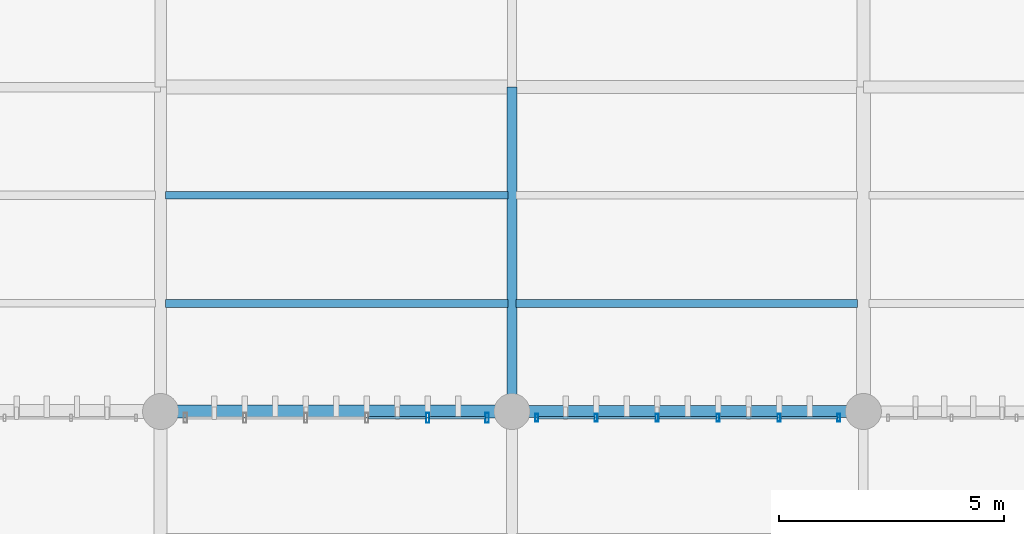
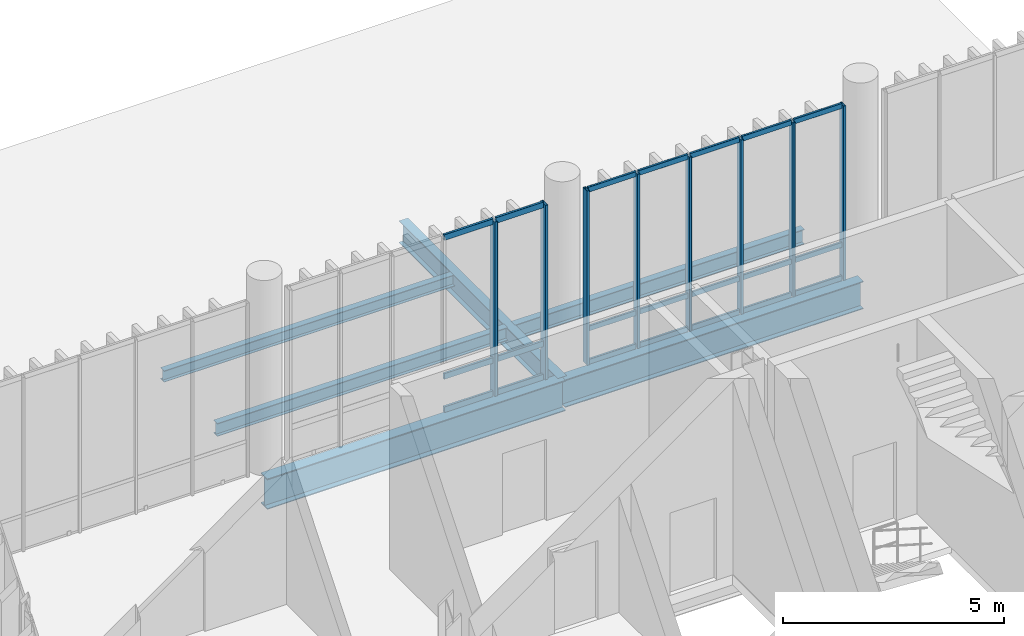
# One storey, part 88 of 128: 29 members, 6 beams, 2 elements without a shape of their own.
"""IFC4 building model written with IfcOpenShell, lengths in metres."""

from ifc_helpers import new_model, si_unit, direction, frame, origin_with_axes, origin_2d_with_axis, place, context, subcontext, project, spatial, hollow_rectangle, i_section, extrude, material, material_profile, profile_set, type_object, element, aggregate, save


model = new_model("IFC4")

# Units and contexts
model_context = context("Model", 3, precision=1e-05, world=origin_with_axes(), true_north=direction((0.0, 1.0)))
body_context = subcontext(model_context, "Body", "Model", "MODEL_VIEW")
ifc_project = project(units=[si_unit("LENGTHUNIT", "METRE"), si_unit("AREAUNIT", "SQUARE_METRE"), si_unit("VOLUMEUNIT", "CUBIC_METRE"), si_unit("PLANEANGLEUNIT", "RADIAN"), si_unit("MASSUNIT", "GRAM", prefix="KILO"), si_unit("THERMODYNAMICTEMPERATUREUNIT", "KELVIN")], contexts=[model_context])

# Site, building, storey
site_placement = place(None, origin_with_axes())
site = spatial("IfcSite", under=ifc_project, at=site_placement, CompositionType="ELEMENT")
building_placement = place(site_placement, origin_with_axes())
building = spatial("IfcBuilding", under=site, at=building_placement, Name="Montbau Bow Law Courts", CompositionType="ELEMENT")
storey_placement = place(building_placement, frame((0.0, 0.0, 5.4), z_axis=(0.0, 0.0, 1.0), x_axis=(1.0, 0.0, 0.0)))
storey = spatial("IfcBuildingStorey", under=building, at=storey_placement, Name="L01", CompositionType="ELEMENT", Elevation=5.4)

# Beams
ifc_material_1 = material(Name="Steel CSA G40.21 Grade 350W (350 MPa)", Category="steel")
ifc_material_profile_1 = material_profile(ifc_material_1, i_section(OverallWidth=0.293, OverallDepth=0.846, WebThickness=0.0154, FlangeThickness=0.0244, at=origin_2d_with_axis()), Name="W840X210", Category="Main", Priority=0)
ifc_profile_set_1 = profile_set([ifc_material_profile_1], Name="Steel CSA G40.21 Grade 350W (350 MPa)")
beam_type_1 = type_object("IfcBeamType", Name="B-FLR-02", PredefinedType="BEAM", material=ifc_profile_set_1)
beam_1_placement = place(None, frame((147.0, 103.2, 4.697), z_axis=(1.0, 0.0, 0.0), x_axis=(0.0, 1.0, 0.0)))
element("IfcBeam", 1, at=beam_1_placement, inside=storey, type_object=beam_type_1, Name="BM-L01-S1119:bm2_1122", PredefinedType="BEAM", context=body_context, shape_type="SweptSolid", body=[
    extrude(i_section(OverallWidth=0.293, OverallDepth=0.846, WebThickness=0.0154, FlangeThickness=0.0244, at=origin_2d_with_axis()), origin_with_axes(), (0.0, 0.0, 1.0), 7.8),
])
ifc_material_profile_2 = material_profile(ifc_material_1, i_section(OverallWidth=0.267, OverallDepth=0.766, WebThickness=0.0149, FlangeThickness=0.0236, at=origin_2d_with_axis()), Name="W760X185", Category="Main", Priority=0)
ifc_profile_set_2 = profile_set([ifc_material_profile_2], Name="Steel CSA G40.21 Grade 350W (350 MPa)")
beam_type_2 = type_object("IfcBeamType", Name="B-FLR-03", PredefinedType="BEAM", material=ifc_profile_set_2)
beam_2_placement = place(None, frame((154.8, 103.2, 4.737), z_axis=(1.0, 0.0, 0.0), x_axis=(0.0, 1.0, 0.0)))
element("IfcBeam", 2, at=beam_2_placement, inside=storey, type_object=beam_type_2, Name="BM-L01-S1120:bm2_1123", PredefinedType="BEAM", context=body_context, shape_type="SweptSolid", body=[
    extrude(i_section(OverallWidth=0.267, OverallDepth=0.766, WebThickness=0.0149, FlangeThickness=0.0236, at=origin_2d_with_axis()), origin_with_axes(), (0.0, 0.0, 1.0), 7.8),
])
ifc_material_profile_3 = material_profile(ifc_material_1, i_section(OverallWidth=0.229, OverallDepth=0.612, WebThickness=0.0119, FlangeThickness=0.0196, at=origin_2d_with_axis()), Name="W610X125", Category="Main", Priority=0)
ifc_profile_set_3 = profile_set([ifc_material_profile_3], Name="Steel CSA G40.21 Grade 350W (350 MPa)")
beam_type_3 = type_object("IfcBeamType", Name="B-FLR-05", PredefinedType="BEAM", material=ifc_profile_set_3)
beam_3_placement = place(None, frame((154.8, 103.2, 4.814), z_axis=(0.0, 1.0, 0.0), x_axis=(-1.0, 0.0, 0.0)))
element("IfcBeam", 3, at=beam_3_placement, inside=storey, type_object=beam_type_3, Name="BM-L01-S1149:bm2_1152", PredefinedType="BEAM", context=body_context, shape_type="SweptSolid", body=[
    extrude(i_section(OverallWidth=0.229, OverallDepth=0.612, WebThickness=0.0119, FlangeThickness=0.0196, at=origin_2d_with_axis()), origin_with_axes(), (0.0, 0.0, 1.0), 7.2),
])
ifc_material_profile_4 = material_profile(ifc_material_1, i_section(OverallWidth=0.179, OverallDepth=0.41, WebThickness=0.0088, FlangeThickness=0.0144, at=origin_2d_with_axis()), Name="W410X67", Category="Main", Priority=0)
ifc_profile_set_4 = profile_set([ifc_material_profile_4], Name="Steel CSA G40.21 Grade 350W (350 MPa)")
beam_type_4 = type_object("IfcBeamType", Name="B-JST-02", PredefinedType="JOIST", material=ifc_profile_set_4)
beam_4_placement = place(None, frame((154.891, 105.6, 4.915), z_axis=(1.0, 0.0, 0.0), x_axis=(0.0, 1.0, 0.0)))
element("IfcBeam", 4, at=beam_4_placement, inside=storey, type_object=beam_type_4, Name="JST-L01-S0593:jst2_0593", PredefinedType="JOIST", context=body_context, shape_type="SweptSolid", body=[
    extrude(i_section(OverallWidth=0.179, OverallDepth=0.41, WebThickness=0.0088, FlangeThickness=0.0144, at=origin_2d_with_axis()), origin_with_axes(), (0.0, 0.0, 1.0), 7.58),
])
ifc_material_profile_5 = material_profile(ifc_material_1, i_section(OverallWidth=0.172, OverallDepth=0.358, WebThickness=0.0079, FlangeThickness=0.0131, at=origin_2d_with_axis()), Name="W360X57", Category="Main", Priority=0)
ifc_profile_set_5 = profile_set([ifc_material_profile_5], Name="Steel CSA G40.21 Grade 350W (350 MPa)")
beam_type_5 = type_object("IfcBeamType", Name="B-JST-03", PredefinedType="JOIST", material=ifc_profile_set_5)
beam_5_placement = place(None, frame((147.109, 105.6, 4.941), z_axis=(1.0, 0.0, 0.0), x_axis=(0.0, 1.0, 0.0)))
element("IfcBeam", 5, at=beam_5_placement, inside=storey, type_object=beam_type_5, Name="JST-L01-S0582:jst2_0582", PredefinedType="JOIST", context=body_context, shape_type="SweptSolid", body=[
    extrude(i_section(OverallWidth=0.172, OverallDepth=0.358, WebThickness=0.0079, FlangeThickness=0.0131, at=origin_2d_with_axis()), origin_with_axes(), (0.0, 0.0, 1.0), 7.601),
])
ifc_material_profile_6 = material_profile(ifc_material_1, i_section(OverallWidth=0.166, OverallDepth=0.313, WebThickness=0.0066, FlangeThickness=0.0112, at=origin_2d_with_axis()), Name="W310X45", Category="Main", Priority=0)
ifc_profile_set_6 = profile_set([ifc_material_profile_6], Name="Steel CSA G40.21 Grade 350W (350 MPa)")
beam_type_6 = type_object("IfcBeamType", Name="B-JST-04", PredefinedType="JOIST", material=ifc_profile_set_6)
beam_6_placement = place(None, frame((147.109, 108.0, 4.963), z_axis=(1.0, 0.0, 0.0), x_axis=(0.0, 1.0, 0.0)))
element("IfcBeam", 6, at=beam_6_placement, inside=storey, type_object=beam_type_6, Name="JST-L01-S0583:jst2_0583", PredefinedType="JOIST", context=body_context, shape_type="SweptSolid", body=[
    extrude(i_section(OverallWidth=0.166, OverallDepth=0.313, WebThickness=0.0066, FlangeThickness=0.0112, at=origin_2d_with_axis()), origin_with_axes(), (0.0, 0.0, 1.0), 7.601),
])

# Curtain wall, members
ifc_material_2 = material(Name="Thermally Broken Extruded Aluminium AA 6063-T6", Category="aluminium")
curtain_wall_type = type_object("IfcCurtainWallType", Name="CW-SLT-01", PredefinedType="NOTDEFINED", material=ifc_material_2)
curtain_wall_1_placement = place(None, frame((147.515, 103.06, 5.4), z_axis=(0.0, 0.0, 1.0), x_axis=(1.0, 0.0, 0.0)))
curtain_wall_1 = element("IfcCurtainWall", 7, at=curtain_wall_1_placement, inside=storey, type_object=curtain_wall_type, Name="CW-L01-282:cw_0282", PredefinedType="NOTDEFINED")
ifc_material_profile_7 = material_profile(ifc_material_2, hollow_rectangle(XDim=0.075, YDim=0.22, WallThickness=0.005, InnerFilletRadius=0.01, OuterFilletRadius=0.005, at=origin_2d_with_axis()), Name="CWM-220X75", Category="Main", Priority=0)
ifc_profile_set_7 = profile_set([ifc_material_profile_7], Name="Thermally Broken Extruded Aluminium AA 6063-T6")
member_type_1 = type_object("IfcMemberType", Name="M-MUL-01", PredefinedType="MULLION", material=ifc_profile_set_7)
member_1_placement = place(None, frame((152.931, 103.06, 5.4), z_axis=(0.0, 0.0, 1.0), x_axis=(1.0, 0.0, 0.0)))
member_1 = element("IfcMember", 8, at=member_1_placement, type_object=member_type_1, Name="CW-L01-282-M05:cw_0282_M05", PredefinedType="MULLION", context=body_context, shape_type="SweptSolid", body=[
    extrude(hollow_rectangle(XDim=0.075, YDim=0.22, WallThickness=0.005, InnerFilletRadius=0.01, OuterFilletRadius=0.005, at=origin_2d_with_axis()), origin_with_axes(), (0.0, 0.0, 1.0), 4.82),
])
member_2_placement = place(None, frame((154.248, 103.06, 5.4), z_axis=(0.0, 0.0, 1.0), x_axis=(1.0, 0.0, 0.0)))
member_2 = element("IfcMember", 9, at=member_2_placement, type_object=member_type_1, Name="CW-L01-282-M06:cw_0282_M06", PredefinedType="MULLION", context=body_context, shape_type="SweptSolid", body=[
    extrude(hollow_rectangle(XDim=0.075, YDim=0.22, WallThickness=0.005, InnerFilletRadius=0.01, OuterFilletRadius=0.005, at=origin_2d_with_axis()), origin_with_axes(), (0.0, 0.0, 1.0), 4.82),
])

curtain_wall_2_placement = place(None, frame((155.315, 103.06, 5.4), z_axis=(0.0, 0.0, 1.0), x_axis=(1.0, 0.0, 0.0)))
curtain_wall_2 = element("IfcCurtainWall", 10, at=curtain_wall_2_placement, inside=storey, type_object=curtain_wall_type, Name="CW-L01-283:cw_0283", PredefinedType="NOTDEFINED")
ifc_material_profile_8 = material_profile(ifc_material_2, hollow_rectangle(XDim=0.065, YDim=0.18, WallThickness=0.005, InnerFilletRadius=0.01, OuterFilletRadius=0.005, at=origin_2d_with_axis()), Name="CWM-180X65", Category="Main", Priority=0)
ifc_profile_set_8 = profile_set([ifc_material_profile_8], Name="Thermally Broken Extruded Aluminium AA 6063-T6")
member_type_2 = type_object("IfcMemberType", Name="M-MUL-02", PredefinedType="MULLION", material=ifc_profile_set_8)
member_3_placement = place(None, frame((155.348, 103.06, 5.4), z_axis=(0.0, 0.0, 1.0), x_axis=(1.0, 0.0, 0.0)))
member_3 = element("IfcMember", 11, at=member_3_placement, type_object=member_type_2, Name="CW-L01-283-M01:cw_0283_M01", PredefinedType="MULLION", context=body_context, shape_type="SweptSolid", body=[
    extrude(hollow_rectangle(XDim=0.065, YDim=0.18, WallThickness=0.005, InnerFilletRadius=0.01, OuterFilletRadius=0.005, at=origin_2d_with_axis()), origin_with_axes(), (0.0, 0.0, 1.0), 4.82),
])
member_4_placement = place(None, frame((156.669, 103.06, 5.4), z_axis=(0.0, 0.0, 1.0), x_axis=(1.0, 0.0, 0.0)))
member_4 = element("IfcMember", 12, at=member_4_placement, type_object=member_type_2, Name="CW-L01-283-M02:cw_0283_M02", PredefinedType="MULLION", context=body_context, shape_type="SweptSolid", body=[
    extrude(hollow_rectangle(XDim=0.065, YDim=0.18, WallThickness=0.005, InnerFilletRadius=0.01, OuterFilletRadius=0.005, at=origin_2d_with_axis()), origin_with_axes(), (0.0, 0.0, 1.0), 4.82),
])
member_5_placement = place(None, frame((158.023, 103.06, 5.4), z_axis=(0.0, 0.0, 1.0), x_axis=(1.0, 0.0, 0.0)))
member_5 = element("IfcMember", 13, at=member_5_placement, type_object=member_type_2, Name="CW-L01-283-M03:cw_0283_M03", PredefinedType="MULLION", context=body_context, shape_type="SweptSolid", body=[
    extrude(hollow_rectangle(XDim=0.065, YDim=0.18, WallThickness=0.005, InnerFilletRadius=0.01, OuterFilletRadius=0.005, at=origin_2d_with_axis()), origin_with_axes(), (0.0, 0.0, 1.0), 4.82),
])
member_6_placement = place(None, frame((159.377, 103.06, 5.4), z_axis=(0.0, 0.0, 1.0), x_axis=(1.0, 0.0, 0.0)))
member_6 = element("IfcMember", 14, at=member_6_placement, type_object=member_type_2, Name="CW-L01-283-M04:cw_0283_M04", PredefinedType="MULLION", context=body_context, shape_type="SweptSolid", body=[
    extrude(hollow_rectangle(XDim=0.065, YDim=0.18, WallThickness=0.005, InnerFilletRadius=0.01, OuterFilletRadius=0.005, at=origin_2d_with_axis()), origin_with_axes(), (0.0, 0.0, 1.0), 4.82),
])
member_7_placement = place(None, frame((160.731, 103.06, 5.4), z_axis=(0.0, 0.0, 1.0), x_axis=(1.0, 0.0, 0.0)))
member_7 = element("IfcMember", 15, at=member_7_placement, type_object=member_type_2, Name="CW-L01-283-M05:cw_0283_M05", PredefinedType="MULLION", context=body_context, shape_type="SweptSolid", body=[
    extrude(hollow_rectangle(XDim=0.065, YDim=0.18, WallThickness=0.005, InnerFilletRadius=0.01, OuterFilletRadius=0.005, at=origin_2d_with_axis()), origin_with_axes(), (0.0, 0.0, 1.0), 4.82),
])
member_8_placement = place(None, frame((162.053, 103.06, 5.4), z_axis=(0.0, 0.0, 1.0), x_axis=(1.0, 0.0, 0.0)))
member_8 = element("IfcMember", 16, at=member_8_placement, type_object=member_type_2, Name="CW-L01-283-M06:cw_0283_M06", PredefinedType="MULLION", context=body_context, shape_type="SweptSolid", body=[
    extrude(hollow_rectangle(XDim=0.065, YDim=0.18, WallThickness=0.005, InnerFilletRadius=0.01, OuterFilletRadius=0.005, at=origin_2d_with_axis()), origin_with_axes(), (0.0, 0.0, 1.0), 4.82),
])

# Member
ifc_material_profile_9 = material_profile(ifc_material_2, hollow_rectangle(XDim=0.06, YDim=0.16, WallThickness=0.004, InnerFilletRadius=0.008, OuterFilletRadius=0.004, at=origin_2d_with_axis()), Name="CWT-160X60", Category="Main", Priority=0)
ifc_profile_set_9 = profile_set([ifc_material_profile_9], Name="Thermally Broken Extruded Aluminium AA 6063-T6")
member_type_3 = type_object("IfcMemberType", Name="M-TRN-01", PredefinedType="USERDEFINED", material=ifc_profile_set_9)
member_9_placement = place(None, frame((151.616, 103.06, 5.43), z_axis=(1.0, 0.0, 0.0), x_axis=(0.0, 1.0, 0.0)))
member_9 = element("IfcMember", 17, at=member_9_placement, type_object=member_type_3, Name="CW-L01-282-T04-1:cw_0282_T04_1", ObjectType="TRANSOM", PredefinedType="USERDEFINED", context=body_context, shape_type="SweptSolid", body=[
    extrude(hollow_rectangle(XDim=0.06, YDim=0.16, WallThickness=0.004, InnerFilletRadius=0.008, OuterFilletRadius=0.004, at=origin_2d_with_axis()), origin_with_axes(), (0.0, 0.0, 1.0), 1.276),
])

member_10_placement = place(None, frame((151.616, 103.06, 6.35), z_axis=(1.0, 0.0, 0.0), x_axis=(0.0, 1.0, 0.0)))
member_10 = element("IfcMember", 18, at=member_10_placement, type_object=member_type_3, Name="CW-L01-282-T04-2:cw_0282_T04_2", ObjectType="TRANSOM", PredefinedType="USERDEFINED", context=body_context, shape_type="SweptSolid", body=[
    extrude(hollow_rectangle(XDim=0.06, YDim=0.16, WallThickness=0.004, InnerFilletRadius=0.008, OuterFilletRadius=0.004, at=origin_2d_with_axis()), origin_with_axes(), (0.0, 0.0, 1.0), 1.276),
])

member_11_placement = place(None, frame((151.616, 103.06, 10.19), z_axis=(1.0, 0.0, 0.0), x_axis=(0.0, 1.0, 0.0)))
member_11 = element("IfcMember", 19, at=member_11_placement, type_object=member_type_3, Name="CW-L01-282-T04-3:cw_0282_T04_3", ObjectType="TRANSOM", PredefinedType="USERDEFINED", context=body_context, shape_type="SweptSolid", body=[
    extrude(hollow_rectangle(XDim=0.06, YDim=0.16, WallThickness=0.004, InnerFilletRadius=0.008, OuterFilletRadius=0.004, at=origin_2d_with_axis()), origin_with_axes(), (0.0, 0.0, 1.0), 1.276),
])

member_12_placement = place(None, frame((152.97, 103.06, 5.43), z_axis=(1.0, 0.0, 0.0), x_axis=(0.0, 1.0, 0.0)))
member_12 = element("IfcMember", 20, at=member_12_placement, type_object=member_type_3, Name="CW-L01-282-T05-1:cw_0282_T05_1", ObjectType="TRANSOM", PredefinedType="USERDEFINED", context=body_context, shape_type="SweptSolid", body=[
    extrude(hollow_rectangle(XDim=0.06, YDim=0.16, WallThickness=0.004, InnerFilletRadius=0.008, OuterFilletRadius=0.004, at=origin_2d_with_axis()), origin_with_axes(), (0.0, 0.0, 1.0), 1.239),
])

member_13_placement = place(None, frame((152.97, 103.06, 6.35), z_axis=(1.0, 0.0, 0.0), x_axis=(0.0, 1.0, 0.0)))
member_13 = element("IfcMember", 21, at=member_13_placement, type_object=member_type_3, Name="CW-L01-282-T05-2:cw_0282_T05_2", ObjectType="TRANSOM", PredefinedType="USERDEFINED", context=body_context, shape_type="SweptSolid", body=[
    extrude(hollow_rectangle(XDim=0.06, YDim=0.16, WallThickness=0.004, InnerFilletRadius=0.008, OuterFilletRadius=0.004, at=origin_2d_with_axis()), origin_with_axes(), (0.0, 0.0, 1.0), 1.239),
])

member_14_placement = place(None, frame((152.97, 103.06, 10.19), z_axis=(1.0, 0.0, 0.0), x_axis=(0.0, 1.0, 0.0)))
member_14 = element("IfcMember", 22, at=member_14_placement, type_object=member_type_3, Name="CW-L01-282-T05-3:cw_0282_T05_3", ObjectType="TRANSOM", PredefinedType="USERDEFINED", context=body_context, shape_type="SweptSolid", body=[
    extrude(hollow_rectangle(XDim=0.06, YDim=0.16, WallThickness=0.004, InnerFilletRadius=0.008, OuterFilletRadius=0.004, at=origin_2d_with_axis()), origin_with_axes(), (0.0, 0.0, 1.0), 1.239),
])

aggregate(curtain_wall_1, [member_1, member_2, member_9, member_10, member_11, member_12, member_13, member_14])

ifc_material_profile_10 = material_profile(ifc_material_2, hollow_rectangle(XDim=0.055, YDim=0.14, WallThickness=0.004, InnerFilletRadius=0.008, OuterFilletRadius=0.004, at=origin_2d_with_axis()), Name="CWT-140X55", Category="Main", Priority=0)
ifc_profile_set_10 = profile_set([ifc_material_profile_10], Name="Thermally Broken Extruded Aluminium AA 6063-T6")
member_type_4 = type_object("IfcMemberType", Name="M-TRN-02", PredefinedType="USERDEFINED", material=ifc_profile_set_10)
member_15_placement = place(None, frame((155.383, 103.06, 5.428), z_axis=(1.0, 0.0, 0.0), x_axis=(0.0, 1.0, 0.0)))
member_15 = element("IfcMember", 23, at=member_15_placement, type_object=member_type_4, Name="CW-L01-283-T01-1:cw_0283_T01_1", ObjectType="TRANSOM", PredefinedType="USERDEFINED", context=body_context, shape_type="SweptSolid", body=[
    extrude(hollow_rectangle(XDim=0.055, YDim=0.14, WallThickness=0.004, InnerFilletRadius=0.008, OuterFilletRadius=0.004, at=origin_2d_with_axis()), origin_with_axes(), (0.0, 0.0, 1.0), 1.252),
])

member_16_placement = place(None, frame((155.383, 103.06, 6.35), z_axis=(1.0, 0.0, 0.0), x_axis=(0.0, 1.0, 0.0)))
member_16 = element("IfcMember", 24, at=member_16_placement, type_object=member_type_4, Name="CW-L01-283-T01-2:cw_0283_T01_2", ObjectType="TRANSOM", PredefinedType="USERDEFINED", context=body_context, shape_type="SweptSolid", body=[
    extrude(hollow_rectangle(XDim=0.055, YDim=0.14, WallThickness=0.004, InnerFilletRadius=0.008, OuterFilletRadius=0.004, at=origin_2d_with_axis()), origin_with_axes(), (0.0, 0.0, 1.0), 1.252),
])

member_17_placement = place(None, frame((155.383, 103.06, 10.193), z_axis=(1.0, 0.0, 0.0), x_axis=(0.0, 1.0, 0.0)))
member_17 = element("IfcMember", 25, at=member_17_placement, type_object=member_type_4, Name="CW-L01-283-T01-3:cw_0283_T01_3", ObjectType="TRANSOM", PredefinedType="USERDEFINED", context=body_context, shape_type="SweptSolid", body=[
    extrude(hollow_rectangle(XDim=0.055, YDim=0.14, WallThickness=0.004, InnerFilletRadius=0.008, OuterFilletRadius=0.004, at=origin_2d_with_axis()), origin_with_axes(), (0.0, 0.0, 1.0), 1.252),
])

member_18_placement = place(None, frame((156.704, 103.06, 5.428), z_axis=(1.0, 0.0, 0.0), x_axis=(0.0, 1.0, 0.0)))
member_18 = element("IfcMember", 26, at=member_18_placement, type_object=member_type_4, Name="CW-L01-283-T02-1:cw_0283_T02_1", ObjectType="TRANSOM", PredefinedType="USERDEFINED", context=body_context, shape_type="SweptSolid", body=[
    extrude(hollow_rectangle(XDim=0.055, YDim=0.14, WallThickness=0.004, InnerFilletRadius=0.008, OuterFilletRadius=0.004, at=origin_2d_with_axis()), origin_with_axes(), (0.0, 0.0, 1.0), 1.285),
])

member_19_placement = place(None, frame((156.704, 103.06, 6.35), z_axis=(1.0, 0.0, 0.0), x_axis=(0.0, 1.0, 0.0)))
member_19 = element("IfcMember", 27, at=member_19_placement, type_object=member_type_4, Name="CW-L01-283-T02-2:cw_0283_T02_2", ObjectType="TRANSOM", PredefinedType="USERDEFINED", context=body_context, shape_type="SweptSolid", body=[
    extrude(hollow_rectangle(XDim=0.055, YDim=0.14, WallThickness=0.004, InnerFilletRadius=0.008, OuterFilletRadius=0.004, at=origin_2d_with_axis()), origin_with_axes(), (0.0, 0.0, 1.0), 1.285),
])

member_20_placement = place(None, frame((156.704, 103.06, 10.193), z_axis=(1.0, 0.0, 0.0), x_axis=(0.0, 1.0, 0.0)))
member_20 = element("IfcMember", 28, at=member_20_placement, type_object=member_type_4, Name="CW-L01-283-T02-3:cw_0283_T02_3", ObjectType="TRANSOM", PredefinedType="USERDEFINED", context=body_context, shape_type="SweptSolid", body=[
    extrude(hollow_rectangle(XDim=0.055, YDim=0.14, WallThickness=0.004, InnerFilletRadius=0.008, OuterFilletRadius=0.004, at=origin_2d_with_axis()), origin_with_axes(), (0.0, 0.0, 1.0), 1.285),
])

member_21_placement = place(None, frame((158.058, 103.06, 5.428), z_axis=(1.0, 0.0, 0.0), x_axis=(0.0, 1.0, 0.0)))
member_21 = element("IfcMember", 29, at=member_21_placement, type_object=member_type_4, Name="CW-L01-283-T03-1:cw_0283_T03_1", ObjectType="TRANSOM", PredefinedType="USERDEFINED", context=body_context, shape_type="SweptSolid", body=[
    extrude(hollow_rectangle(XDim=0.055, YDim=0.14, WallThickness=0.004, InnerFilletRadius=0.008, OuterFilletRadius=0.004, at=origin_2d_with_axis()), origin_with_axes(), (0.0, 0.0, 1.0), 1.285),
])

member_22_placement = place(None, frame((158.058, 103.06, 6.35), z_axis=(1.0, 0.0, 0.0), x_axis=(0.0, 1.0, 0.0)))
member_22 = element("IfcMember", 30, at=member_22_placement, type_object=member_type_4, Name="CW-L01-283-T03-2:cw_0283_T03_2", ObjectType="TRANSOM", PredefinedType="USERDEFINED", context=body_context, shape_type="SweptSolid", body=[
    extrude(hollow_rectangle(XDim=0.055, YDim=0.14, WallThickness=0.004, InnerFilletRadius=0.008, OuterFilletRadius=0.004, at=origin_2d_with_axis()), origin_with_axes(), (0.0, 0.0, 1.0), 1.285),
])

member_23_placement = place(None, frame((158.058, 103.06, 10.193), z_axis=(1.0, 0.0, 0.0), x_axis=(0.0, 1.0, 0.0)))
member_23 = element("IfcMember", 31, at=member_23_placement, type_object=member_type_4, Name="CW-L01-283-T03-3:cw_0283_T03_3", ObjectType="TRANSOM", PredefinedType="USERDEFINED", context=body_context, shape_type="SweptSolid", body=[
    extrude(hollow_rectangle(XDim=0.055, YDim=0.14, WallThickness=0.004, InnerFilletRadius=0.008, OuterFilletRadius=0.004, at=origin_2d_with_axis()), origin_with_axes(), (0.0, 0.0, 1.0), 1.285),
])

member_24_placement = place(None, frame((159.411, 103.06, 5.428), z_axis=(1.0, 0.0, 0.0), x_axis=(0.0, 1.0, 0.0)))
member_24 = element("IfcMember", 32, at=member_24_placement, type_object=member_type_4, Name="CW-L01-283-T04-1:cw_0283_T04_1", ObjectType="TRANSOM", PredefinedType="USERDEFINED", context=body_context, shape_type="SweptSolid", body=[
    extrude(hollow_rectangle(XDim=0.055, YDim=0.14, WallThickness=0.004, InnerFilletRadius=0.008, OuterFilletRadius=0.004, at=origin_2d_with_axis()), origin_with_axes(), (0.0, 0.0, 1.0), 1.286),
])

member_25_placement = place(None, frame((159.411, 103.06, 6.35), z_axis=(1.0, 0.0, 0.0), x_axis=(0.0, 1.0, 0.0)))
member_25 = element("IfcMember", 33, at=member_25_placement, type_object=member_type_4, Name="CW-L01-283-T04-2:cw_0283_T04_2", ObjectType="TRANSOM", PredefinedType="USERDEFINED", context=body_context, shape_type="SweptSolid", body=[
    extrude(hollow_rectangle(XDim=0.055, YDim=0.14, WallThickness=0.004, InnerFilletRadius=0.008, OuterFilletRadius=0.004, at=origin_2d_with_axis()), origin_with_axes(), (0.0, 0.0, 1.0), 1.286),
])

member_26_placement = place(None, frame((159.411, 103.06, 10.193), z_axis=(1.0, 0.0, 0.0), x_axis=(0.0, 1.0, 0.0)))
member_26 = element("IfcMember", 34, at=member_26_placement, type_object=member_type_4, Name="CW-L01-283-T04-3:cw_0283_T04_3", ObjectType="TRANSOM", PredefinedType="USERDEFINED", context=body_context, shape_type="SweptSolid", body=[
    extrude(hollow_rectangle(XDim=0.055, YDim=0.14, WallThickness=0.004, InnerFilletRadius=0.008, OuterFilletRadius=0.004, at=origin_2d_with_axis()), origin_with_axes(), (0.0, 0.0, 1.0), 1.286),
])

member_27_placement = place(None, frame((160.765, 103.06, 5.428), z_axis=(1.0, 0.0, 0.0), x_axis=(0.0, 1.0, 0.0)))
member_27 = element("IfcMember", 35, at=member_27_placement, type_object=member_type_4, Name="CW-L01-283-T05-1:cw_0283_T05_1", ObjectType="TRANSOM", PredefinedType="USERDEFINED", context=body_context, shape_type="SweptSolid", body=[
    extrude(hollow_rectangle(XDim=0.055, YDim=0.14, WallThickness=0.004, InnerFilletRadius=0.008, OuterFilletRadius=0.004, at=origin_2d_with_axis()), origin_with_axes(), (0.0, 0.0, 1.0), 1.254),
])

member_28_placement = place(None, frame((160.765, 103.06, 6.35), z_axis=(1.0, 0.0, 0.0), x_axis=(0.0, 1.0, 0.0)))
member_28 = element("IfcMember", 36, at=member_28_placement, type_object=member_type_4, Name="CW-L01-283-T05-2:cw_0283_T05_2", ObjectType="TRANSOM", PredefinedType="USERDEFINED", context=body_context, shape_type="SweptSolid", body=[
    extrude(hollow_rectangle(XDim=0.055, YDim=0.14, WallThickness=0.004, InnerFilletRadius=0.008, OuterFilletRadius=0.004, at=origin_2d_with_axis()), origin_with_axes(), (0.0, 0.0, 1.0), 1.254),
])

member_29_placement = place(None, frame((160.765, 103.06, 10.193), z_axis=(1.0, 0.0, 0.0), x_axis=(0.0, 1.0, 0.0)))
member_29 = element("IfcMember", 37, at=member_29_placement, type_object=member_type_4, Name="CW-L01-283-T05-3:cw_0283_T05_3", ObjectType="TRANSOM", PredefinedType="USERDEFINED", context=body_context, shape_type="SweptSolid", body=[
    extrude(hollow_rectangle(XDim=0.055, YDim=0.14, WallThickness=0.004, InnerFilletRadius=0.008, OuterFilletRadius=0.004, at=origin_2d_with_axis()), origin_with_axes(), (0.0, 0.0, 1.0), 1.254),
])

aggregate(curtain_wall_2, [member_3, member_4, member_5, member_6, member_7, member_8, member_15, member_16, member_17, member_18, member_19, member_20, member_21, member_22, member_23, member_24, member_25, member_26, member_27, member_28, member_29])

save(model, "model.ifc")
